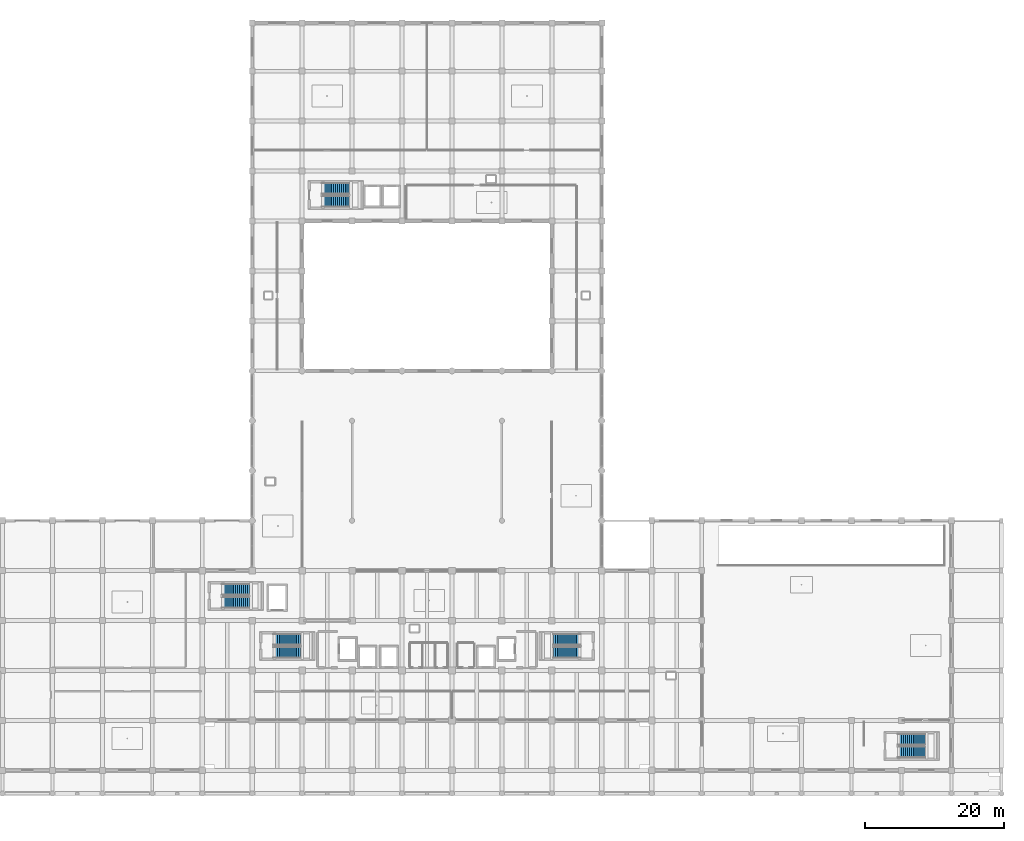
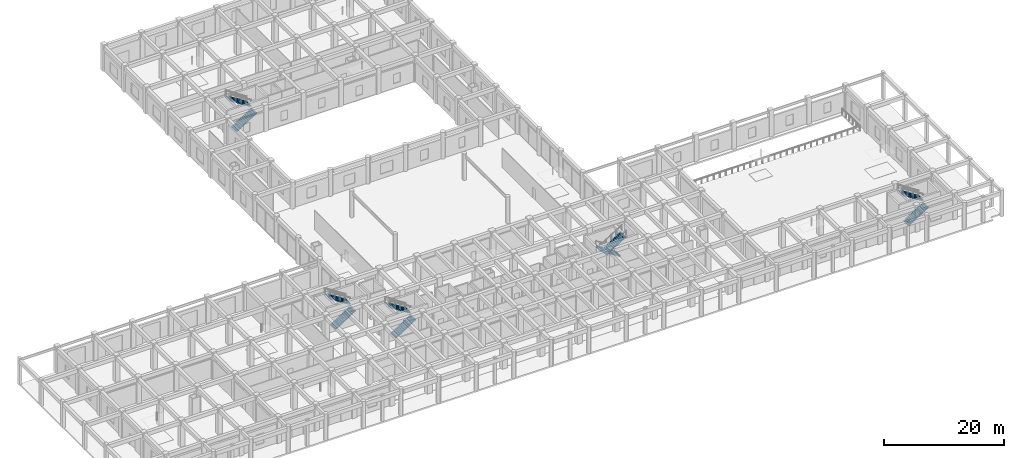
# One storey, part 34 of 56: 10 stair flights, 5 elements without a shape of their own.
"""IFC4 building model written with IfcOpenShell, lengths in metres."""

from ifc_helpers import new_model, si_unit, direction, frame, origin, place, context, subcontext, project, spatial, polyline, outline, extrude, material, type_object, element, aggregate, save


model = new_model("IFC4")

# Units and contexts
model_context = context("Model", 3, precision=1e-05, world=origin(), true_north=direction((0.0, 1.0)))
body_context = subcontext(model_context, "Body", "Model", "MODEL_VIEW")
ifc_project = project(units=[si_unit("LENGTHUNIT", "METRE"), si_unit("AREAUNIT", "SQUARE_METRE"), si_unit("VOLUMEUNIT", "CUBIC_METRE"), si_unit("PLANEANGLEUNIT", "RADIAN"), si_unit("MASSUNIT", "GRAM", prefix="KILO")], contexts=[model_context])

# Site, building, storey
site_placement = place(None, origin())
site = spatial("IfcSite", under=ifc_project, at=site_placement, CompositionType="ELEMENT")
building_placement = place(site_placement, origin())
building = spatial("IfcBuilding", under=site, at=building_placement, Name="Kazehaya Institute of Natural Sciences", CompositionType="ELEMENT")
storey_placement = place(building_placement, origin())
storey = spatial("IfcBuildingStorey", under=building, at=storey_placement, Name="L00", CompositionType="ELEMENT", Elevation=0.0)

# Stair, stair flights
ifc_material = material(Name="Concrete Fc36", Category="concrete")
stair_type = type_object("IfcStairType", Name="STR-DOG-5400", PredefinedType="HALF_TURN_STAIR", material=ifc_material)
stair_1_placement = place(storey_placement, origin())
stair_1 = element("IfcStair", 1, at=stair_1_placement, inside=storey, type_object=stair_type, Name="L00 Protected Escape Stair ST-1", PredefinedType="HALF_TURN_STAIR")
stair_flight_type = type_object("IfcStairFlightType", Name="STF-DOG-5400", PredefinedType="STRAIGHT", material=ifc_material)
stair_flight_1_placement = place(storey_placement, frame((64.860107421875, 23.830078125, 0.0), z_axis=(0.0, 0.0, 1.0), x_axis=(1.0, 0.0, 0.0)))
stair_flight_1 = element("IfcStairFlight", 2, at=stair_flight_1_placement, type_object=stair_flight_type, Name="ST-1 flight 1", NumberOfRisers=15, NumberOfTreads=14, PredefinedType="STRAIGHT", RiserHeight=0.18, TreadLength=0.28, context=body_context, shape_type="SweptSolid", body=[
    extrude(outline(polyline([(0.0, 0.0), (0.0, 0.179931640625), (0.280029296875, 0.179931640625), (0.280029296875, 0.360107421875), (0.56005859375, 0.360107421875), (0.56005859375, 0.5400390625), (0.840087890625, 0.5400390625), (0.840087890625, 0.719970703125), (1.1201171875, 0.719970703125), (1.1201171875, 0.89990234375), (1.39990234375, 0.89990234375), (1.39990234375, 1.080078125), (1.679931640625, 1.080078125), (1.679931640625, 1.260009765625), (1.9599609375, 1.260009765625), (1.9599609375, 1.43994140625), (2.239990234375, 1.43994140625), (2.239990234375, 1.6201171875), (2.52001953125, 1.6201171875), (2.52001953125, 1.800048828125), (2.800048828125, 1.800048828125), (2.800048828125, 1.97998046875), (3.080078125, 1.97998046875), (3.080078125, 2.159912109375), (3.360107421875, 2.159912109375), (3.360107421875, 2.340087890625), (3.639892578125, 2.340087890625), (3.639892578125, 2.52001953125), (3.919921875, 2.52001953125), (3.919921875, 2.699951171875), (3.919921875, 2.341796875), (0.277099609375, 0.0), (0.0, 0.0)])), frame((0.0, 0.830078125, 0.0), z_axis=(0.0, -1.0, 0.0), x_axis=(1.0, 0.0, 0.0)), (0.0, 0.0, 1.0), 1.659912109375),
])
stair_flight_2_placement = place(storey_placement, frame((68.780029296875, 25.64990234375, 2.699951171875), z_axis=(0.0, 0.0, 1.0), x_axis=(-1.0, 0.0, 0.0)))
stair_flight_2 = element("IfcStairFlight", 3, at=stair_flight_2_placement, type_object=stair_flight_type, Name="ST-1 flight 2", NumberOfRisers=15, NumberOfTreads=14, PredefinedType="STRAIGHT", RiserHeight=0.18, TreadLength=0.28, context=body_context, shape_type="SweptSolid", body=[
    extrude(outline(polyline([(0.0, 0.0), (0.0, 0.179931640625), (0.280029296875, 0.179931640625), (0.280029296875, 0.360107421875), (0.56005859375, 0.360107421875), (0.56005859375, 0.5400390625), (0.840087890625, 0.5400390625), (0.840087890625, 0.719970703125), (1.1201171875, 0.719970703125), (1.1201171875, 0.89990234375), (1.39990234375, 0.89990234375), (1.39990234375, 1.080078125), (1.679931640625, 1.080078125), (1.679931640625, 1.260009765625), (1.9599609375, 1.260009765625), (1.9599609375, 1.43994140625), (2.239990234375, 1.43994140625), (2.239990234375, 1.6201171875), (2.52001953125, 1.6201171875), (2.52001953125, 1.800048828125), (2.800048828125, 1.800048828125), (2.800048828125, 1.97998046875), (3.080078125, 1.97998046875), (3.080078125, 2.159912109375), (3.360107421875, 2.159912109375), (3.360107421875, 2.340087890625), (3.639892578125, 2.340087890625), (3.639892578125, 2.52001953125), (3.919921875, 2.52001953125), (3.919921875, 2.699951171875), (3.919921875, 2.341796875), (0.277099609375, 0.0), (0.0, 0.0)])), frame((0.0, 0.830078125, 0.0), z_axis=(0.0, -1.0, 0.0), x_axis=(1.0, 0.0, 0.0)), (0.0, 0.0, 1.0), 1.659912109375),
])
aggregate(stair_1, [stair_flight_1, stair_flight_2])

stair_2_placement = place(storey_placement, origin())
stair_2 = element("IfcStair", 4, at=stair_2_placement, inside=storey, type_object=stair_type, Name="L00 Protected Escape Stair ST-2", PredefinedType="HALF_TURN_STAIR")
stair_flight_3_placement = place(storey_placement, frame((109.139892578125, 25.64990234375, 0.0), z_axis=(0.0, 0.0, 1.0), x_axis=(-1.0, 0.0, 0.0)))
stair_flight_3 = element("IfcStairFlight", 5, at=stair_flight_3_placement, type_object=stair_flight_type, Name="ST-2 flight 1", NumberOfRisers=15, NumberOfTreads=14, PredefinedType="STRAIGHT", RiserHeight=0.18, TreadLength=0.28, context=body_context, shape_type="SweptSolid", body=[
    extrude(outline(polyline([(0.0, 0.0), (0.0, 0.179931640625), (0.280029296875, 0.179931640625), (0.280029296875, 0.360107421875), (0.56005859375, 0.360107421875), (0.56005859375, 0.5400390625), (0.840087890625, 0.5400390625), (0.840087890625, 0.719970703125), (1.1201171875, 0.719970703125), (1.1201171875, 0.89990234375), (1.39990234375, 0.89990234375), (1.39990234375, 1.080078125), (1.679931640625, 1.080078125), (1.679931640625, 1.260009765625), (1.9599609375, 1.260009765625), (1.9599609375, 1.43994140625), (2.239990234375, 1.43994140625), (2.239990234375, 1.6201171875), (2.52001953125, 1.6201171875), (2.52001953125, 1.800048828125), (2.800048828125, 1.800048828125), (2.800048828125, 1.97998046875), (3.080078125, 1.97998046875), (3.080078125, 2.159912109375), (3.360107421875, 2.159912109375), (3.360107421875, 2.340087890625), (3.639892578125, 2.340087890625), (3.639892578125, 2.52001953125), (3.919921875, 2.52001953125), (3.919921875, 2.699951171875), (3.919921875, 2.341796875), (0.277099609375, 0.0), (0.0, 0.0)])), frame((0.0, 0.830078125, 0.0), z_axis=(0.0, -1.0, 0.0), x_axis=(1.0, 0.0, 0.0)), (0.0, 0.0, 1.0), 1.659912109375),
])
stair_flight_4_placement = place(storey_placement, frame((105.219970703125, 23.830078125, 2.699951171875), z_axis=(0.0, 0.0, 1.0), x_axis=(1.0, 0.0, 0.0)))
stair_flight_4 = element("IfcStairFlight", 6, at=stair_flight_4_placement, type_object=stair_flight_type, Name="ST-2 flight 2", NumberOfRisers=15, NumberOfTreads=14, PredefinedType="STRAIGHT", RiserHeight=0.18, TreadLength=0.28, context=body_context, shape_type="SweptSolid", body=[
    extrude(outline(polyline([(0.0, 0.0), (0.0, 0.179931640625), (0.280029296875, 0.179931640625), (0.280029296875, 0.360107421875), (0.56005859375, 0.360107421875), (0.56005859375, 0.5400390625), (0.840087890625, 0.5400390625), (0.840087890625, 0.719970703125), (1.1201171875, 0.719970703125), (1.1201171875, 0.89990234375), (1.39990234375, 0.89990234375), (1.39990234375, 1.080078125), (1.679931640625, 1.080078125), (1.679931640625, 1.260009765625), (1.9599609375, 1.260009765625), (1.9599609375, 1.43994140625), (2.239990234375, 1.43994140625), (2.239990234375, 1.6201171875), (2.52001953125, 1.6201171875), (2.52001953125, 1.800048828125), (2.800048828125, 1.800048828125), (2.800048828125, 1.97998046875), (3.080078125, 1.97998046875), (3.080078125, 2.159912109375), (3.360107421875, 2.159912109375), (3.360107421875, 2.340087890625), (3.639892578125, 2.340087890625), (3.639892578125, 2.52001953125), (3.919921875, 2.52001953125), (3.919921875, 2.699951171875), (3.919921875, 2.341796875), (0.277099609375, 0.0), (0.0, 0.0)])), frame((0.0, 0.830078125, 0.0), z_axis=(0.0, -1.0, 0.0), x_axis=(1.0, 0.0, 0.0)), (0.0, 0.0, 1.0), 1.659912109375),
])
aggregate(stair_2, [stair_flight_3, stair_flight_4])

stair_3_placement = place(storey_placement, origin())
stair_3 = element("IfcStair", 7, at=stair_3_placement, inside=storey, type_object=stair_type, Name="L00 Protected Escape Stair ST-3", PredefinedType="HALF_TURN_STAIR")
stair_flight_5_placement = place(storey_placement, frame((71.860107421875, 88.830078125, 0.0), z_axis=(0.0, 0.0, 1.0), x_axis=(1.0, 0.0, 0.0)))
stair_flight_5 = element("IfcStairFlight", 8, at=stair_flight_5_placement, type_object=stair_flight_type, Name="ST-3 flight 1", NumberOfRisers=15, NumberOfTreads=14, PredefinedType="STRAIGHT", RiserHeight=0.18, TreadLength=0.28, context=body_context, shape_type="SweptSolid", body=[
    extrude(outline(polyline([(0.0, 0.0), (0.0, 0.179931640625), (0.280029296875, 0.179931640625), (0.280029296875, 0.360107421875), (0.56005859375, 0.360107421875), (0.56005859375, 0.5400390625), (0.840087890625, 0.5400390625), (0.840087890625, 0.719970703125), (1.1201171875, 0.719970703125), (1.1201171875, 0.89990234375), (1.39990234375, 0.89990234375), (1.39990234375, 1.080078125), (1.679931640625, 1.080078125), (1.679931640625, 1.260009765625), (1.9599609375, 1.260009765625), (1.9599609375, 1.43994140625), (2.239990234375, 1.43994140625), (2.239990234375, 1.6201171875), (2.52001953125, 1.6201171875), (2.52001953125, 1.800048828125), (2.800048828125, 1.800048828125), (2.800048828125, 1.97998046875), (3.080078125, 1.97998046875), (3.080078125, 2.159912109375), (3.360107421875, 2.159912109375), (3.360107421875, 2.340087890625), (3.639892578125, 2.340087890625), (3.639892578125, 2.52001953125), (3.919921875, 2.52001953125), (3.919921875, 2.699951171875), (3.919921875, 2.341796875), (0.277099609375, 0.0), (0.0, 0.0)])), frame((0.0, 0.830078125, 0.0), z_axis=(0.0, -1.0, 0.0), x_axis=(1.0, 0.0, 0.0)), (0.0, 0.0, 1.0), 1.659912109375),
])
stair_flight_6_placement = place(storey_placement, frame((75.780029296875, 90.64990234375, 2.699951171875), z_axis=(0.0, 0.0, 1.0), x_axis=(-1.0, 0.0, 0.0)))
stair_flight_6 = element("IfcStairFlight", 9, at=stair_flight_6_placement, type_object=stair_flight_type, Name="ST-3 flight 2", NumberOfRisers=15, NumberOfTreads=14, PredefinedType="STRAIGHT", RiserHeight=0.18, TreadLength=0.28, context=body_context, shape_type="SweptSolid", body=[
    extrude(outline(polyline([(0.0, 0.0), (0.0, 0.179931640625), (0.280029296875, 0.179931640625), (0.280029296875, 0.360107421875), (0.56005859375, 0.360107421875), (0.56005859375, 0.5400390625), (0.840087890625, 0.5400390625), (0.840087890625, 0.719970703125), (1.1201171875, 0.719970703125), (1.1201171875, 0.89990234375), (1.39990234375, 0.89990234375), (1.39990234375, 1.080078125), (1.679931640625, 1.080078125), (1.679931640625, 1.260009765625), (1.9599609375, 1.260009765625), (1.9599609375, 1.43994140625), (2.239990234375, 1.43994140625), (2.239990234375, 1.6201171875), (2.52001953125, 1.6201171875), (2.52001953125, 1.800048828125), (2.800048828125, 1.800048828125), (2.800048828125, 1.97998046875), (3.080078125, 1.97998046875), (3.080078125, 2.159912109375), (3.360107421875, 2.159912109375), (3.360107421875, 2.340087890625), (3.639892578125, 2.340087890625), (3.639892578125, 2.52001953125), (3.919921875, 2.52001953125), (3.919921875, 2.699951171875), (3.919921875, 2.341796875), (0.277099609375, 0.0), (0.0, 0.0)])), frame((0.0, 0.830078125, 0.0), z_axis=(0.0, -1.0, 0.0), x_axis=(1.0, 0.0, 0.0)), (0.0, 0.0, 1.0), 1.659912109375),
])
aggregate(stair_3, [stair_flight_5, stair_flight_6])

stair_4_placement = place(storey_placement, origin())
stair_4 = element("IfcStair", 10, at=stair_4_placement, inside=storey, type_object=stair_type, Name="L00 Protected Escape Stair ST-4", PredefinedType="HALF_TURN_STAIR")
stair_flight_7_placement = place(storey_placement, frame((57.4599609375, 31.030029296875, 0.0), z_axis=(0.0, 0.0, 1.0), x_axis=(1.0, 0.0, 0.0)))
stair_flight_7 = element("IfcStairFlight", 11, at=stair_flight_7_placement, type_object=stair_flight_type, Name="ST-4 flight 1", NumberOfRisers=15, NumberOfTreads=14, PredefinedType="STRAIGHT", RiserHeight=0.18, TreadLength=0.28, context=body_context, shape_type="SweptSolid", body=[
    extrude(outline(polyline([(0.0, 0.0), (0.0, 0.179931640625), (0.280029296875, 0.179931640625), (0.280029296875, 0.360107421875), (0.56005859375, 0.360107421875), (0.56005859375, 0.5400390625), (0.840087890625, 0.5400390625), (0.840087890625, 0.719970703125), (1.1201171875, 0.719970703125), (1.1201171875, 0.89990234375), (1.39990234375, 0.89990234375), (1.39990234375, 1.080078125), (1.679931640625, 1.080078125), (1.679931640625, 1.260009765625), (1.9599609375, 1.260009765625), (1.9599609375, 1.43994140625), (2.239990234375, 1.43994140625), (2.239990234375, 1.6201171875), (2.52001953125, 1.6201171875), (2.52001953125, 1.800048828125), (2.800048828125, 1.800048828125), (2.800048828125, 1.97998046875), (3.080078125, 1.97998046875), (3.080078125, 2.159912109375), (3.360107421875, 2.159912109375), (3.360107421875, 2.340087890625), (3.639892578125, 2.340087890625), (3.639892578125, 2.52001953125), (3.919921875, 2.52001953125), (3.919921875, 2.699951171875), (3.919921875, 2.341796875), (0.277099609375, 0.0), (0.0, 0.0)])), frame((0.0, 0.830078125, 0.0), z_axis=(0.0, -1.0, 0.0), x_axis=(1.0, 0.0, 0.0)), (0.0, 0.0, 1.0), 1.659912109375),
])
stair_flight_8_placement = place(storey_placement, frame((61.3798828125, 32.85009765625, 2.699951171875), z_axis=(0.0, 0.0, 1.0), x_axis=(-1.0, 0.0, 0.0)))
stair_flight_8 = element("IfcStairFlight", 12, at=stair_flight_8_placement, type_object=stair_flight_type, Name="ST-4 flight 2", NumberOfRisers=15, NumberOfTreads=14, PredefinedType="STRAIGHT", RiserHeight=0.18, TreadLength=0.28, context=body_context, shape_type="SweptSolid", body=[
    extrude(outline(polyline([(0.0, 0.0), (0.0, 0.179931640625), (0.280029296875, 0.179931640625), (0.280029296875, 0.360107421875), (0.56005859375, 0.360107421875), (0.56005859375, 0.5400390625), (0.840087890625, 0.5400390625), (0.840087890625, 0.719970703125), (1.1201171875, 0.719970703125), (1.1201171875, 0.89990234375), (1.39990234375, 0.89990234375), (1.39990234375, 1.080078125), (1.679931640625, 1.080078125), (1.679931640625, 1.260009765625), (1.9599609375, 1.260009765625), (1.9599609375, 1.43994140625), (2.239990234375, 1.43994140625), (2.239990234375, 1.6201171875), (2.52001953125, 1.6201171875), (2.52001953125, 1.800048828125), (2.800048828125, 1.800048828125), (2.800048828125, 1.97998046875), (3.080078125, 1.97998046875), (3.080078125, 2.159912109375), (3.360107421875, 2.159912109375), (3.360107421875, 2.340087890625), (3.639892578125, 2.340087890625), (3.639892578125, 2.52001953125), (3.919921875, 2.52001953125), (3.919921875, 2.699951171875), (3.919921875, 2.341796875), (0.277099609375, 0.0), (0.0, 0.0)])), frame((0.0, 0.830078125, 0.0), z_axis=(0.0, -1.0, 0.0), x_axis=(1.0, 0.0, 0.0)), (0.0, 0.0, 1.0), 1.659912109375),
])
aggregate(stair_4, [stair_flight_7, stair_flight_8])

stair_5_placement = place(storey_placement, origin())
stair_5 = element("IfcStair", 13, at=stair_5_placement, inside=storey, type_object=stair_type, Name="L00 Protected Escape Stair ST-5", PredefinedType="HALF_TURN_STAIR")
stair_flight_9_placement = place(storey_placement, frame((154.860107421875, 9.429931640625, 0.0), z_axis=(0.0, 0.0, 1.0), x_axis=(1.0, 0.0, 0.0)))
stair_flight_9 = element("IfcStairFlight", 14, at=stair_flight_9_placement, type_object=stair_flight_type, Name="ST-5 flight 1", NumberOfRisers=15, NumberOfTreads=14, PredefinedType="STRAIGHT", RiserHeight=0.18, TreadLength=0.28, context=body_context, shape_type="SweptSolid", body=[
    extrude(outline(polyline([(0.0, 0.0), (0.0, 0.179931640625), (0.280029296875, 0.179931640625), (0.280029296875, 0.360107421875), (0.56005859375, 0.360107421875), (0.56005859375, 0.5400390625), (0.840087890625, 0.5400390625), (0.840087890625, 0.719970703125), (1.1201171875, 0.719970703125), (1.1201171875, 0.89990234375), (1.39990234375, 0.89990234375), (1.39990234375, 1.080078125), (1.679931640625, 1.080078125), (1.679931640625, 1.260009765625), (1.9599609375, 1.260009765625), (1.9599609375, 1.43994140625), (2.239990234375, 1.43994140625), (2.239990234375, 1.6201171875), (2.52001953125, 1.6201171875), (2.52001953125, 1.800048828125), (2.800048828125, 1.800048828125), (2.800048828125, 1.97998046875), (3.080078125, 1.97998046875), (3.080078125, 2.159912109375), (3.360107421875, 2.159912109375), (3.360107421875, 2.340087890625), (3.639892578125, 2.340087890625), (3.639892578125, 2.52001953125), (3.919921875, 2.52001953125), (3.919921875, 2.699951171875), (3.919921875, 2.341796875), (0.277099609375, 0.0), (0.0, 0.0)])), frame((0.0, 0.830078125, 0.0), z_axis=(0.0, -1.0, 0.0), x_axis=(1.0, 0.0, 0.0)), (0.0, 0.0, 1.0), 1.659912109375),
])
stair_flight_10_placement = place(storey_placement, frame((158.780029296875, 11.25, 2.699951171875), z_axis=(0.0, 0.0, 1.0), x_axis=(-1.0, 0.0, 0.0)))
stair_flight_10 = element("IfcStairFlight", 15, at=stair_flight_10_placement, type_object=stair_flight_type, Name="ST-5 flight 2", NumberOfRisers=15, NumberOfTreads=14, PredefinedType="STRAIGHT", RiserHeight=0.18, TreadLength=0.28, context=body_context, shape_type="SweptSolid", body=[
    extrude(outline(polyline([(0.0, 0.0), (0.0, 0.179931640625), (0.280029296875, 0.179931640625), (0.280029296875, 0.360107421875), (0.56005859375, 0.360107421875), (0.56005859375, 0.5400390625), (0.840087890625, 0.5400390625), (0.840087890625, 0.719970703125), (1.1201171875, 0.719970703125), (1.1201171875, 0.89990234375), (1.39990234375, 0.89990234375), (1.39990234375, 1.080078125), (1.679931640625, 1.080078125), (1.679931640625, 1.260009765625), (1.9599609375, 1.260009765625), (1.9599609375, 1.43994140625), (2.239990234375, 1.43994140625), (2.239990234375, 1.6201171875), (2.52001953125, 1.6201171875), (2.52001953125, 1.800048828125), (2.800048828125, 1.800048828125), (2.800048828125, 1.97998046875), (3.080078125, 1.97998046875), (3.080078125, 2.159912109375), (3.360107421875, 2.159912109375), (3.360107421875, 2.340087890625), (3.639892578125, 2.340087890625), (3.639892578125, 2.52001953125), (3.919921875, 2.52001953125), (3.919921875, 2.699951171875), (3.919921875, 2.341796875), (0.277099609375, 0.0), (0.0, 0.0)])), frame((0.0, 0.830078125, 0.0), z_axis=(0.0, -1.0, 0.0), x_axis=(1.0, 0.0, 0.0)), (0.0, 0.0, 1.0), 1.659912109375),
])
aggregate(stair_5, [stair_flight_9, stair_flight_10])

save(model, "model.ifc")
